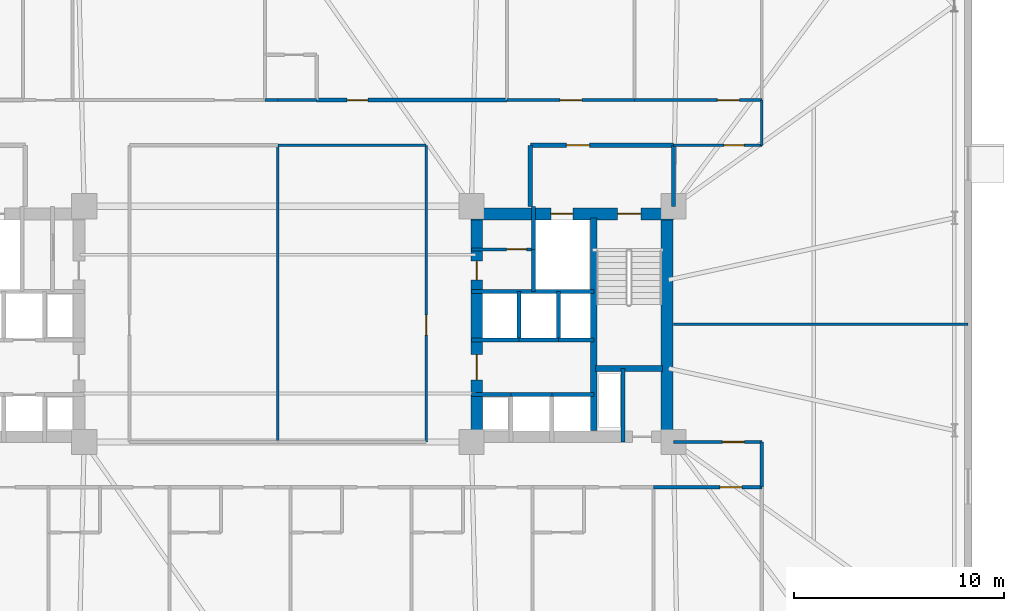
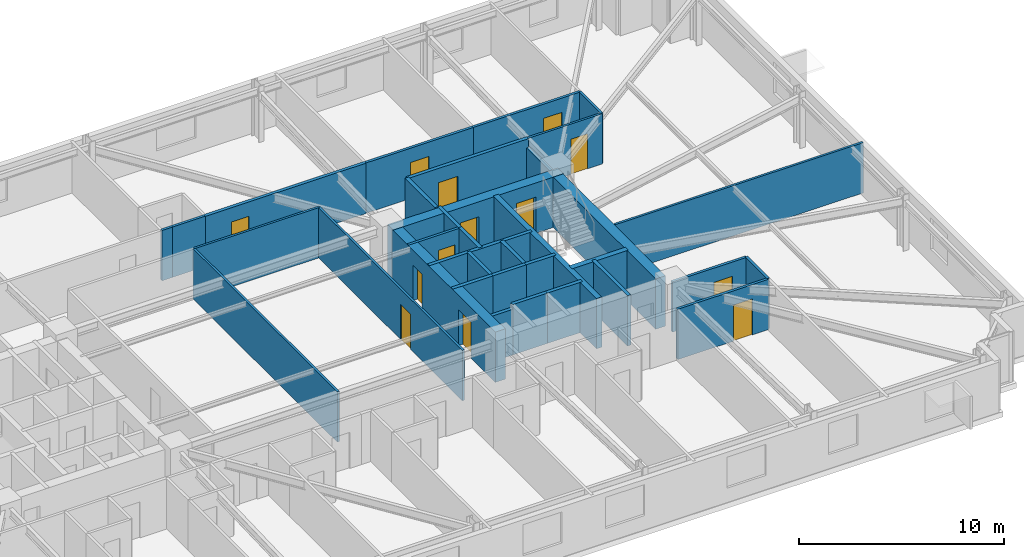
# One storey, part 17 of 20: 35 walls, 13 doors, 13 openings.
"""IFC4 building model written with IfcOpenShell, lengths in metres."""

from ifc_helpers import new_model, si_unit, direction, frame, frame_2d, origin, place, context, subcontext, project, spatial, rectangle, extrude, material, layer, layer_set, type_object, element, fill, save


model = new_model("IFC4")

# Units and contexts
model_context = context("Model", 3, precision=1e-05, world=origin(), true_north=direction((0.0, 1.0)))
body_context = subcontext(model_context, "Body", "Model", "MODEL_VIEW")
ifc_project = project(units=[si_unit("LENGTHUNIT", "METRE"), si_unit("AREAUNIT", "SQUARE_METRE"), si_unit("VOLUMEUNIT", "CUBIC_METRE"), si_unit("PLANEANGLEUNIT", "RADIAN"), si_unit("MASSUNIT", "GRAM", prefix="KILO")], contexts=[model_context])

# Site, building, storey
site_placement = place(None, origin())
site = spatial("IfcSite", under=ifc_project, at=site_placement, CompositionType="ELEMENT")
building_placement = place(site_placement, origin())
building = spatial("IfcBuilding", under=site, at=building_placement, Name="Qobustan Lattice House", CompositionType="ELEMENT")
storey_placement = place(building_placement, frame((0.0, 0.0, 70.550048828125)))
storey = spatial("IfcBuildingStorey", under=building, at=storey_placement, Name="L19", CompositionType="ELEMENT", Elevation=70.550048828125)

# Wall, openings, doors
ifc_material_1 = material(Name="Concrete C60/75", Category="concrete")
ifc_layer_1 = layer(ifc_material_1, 0.56005859375)
ifc_layer_set_1 = layer_set([ifc_layer_1], Name="Concrete C60/75")
wall_type_1 = type_object("IfcWallType", Name="WAL-CORE-600", PredefinedType="SHEAR", material=ifc_layer_set_1)
wall_1_placement = place(storey_placement, frame((9.199951171875, 5.239990234375, 0.0), z_axis=(0.0, 0.0, 1.0), x_axis=(1.0, 0.0, 0.0)))
wall_1 = element("IfcWall", 1, at=wall_1_placement, inside=storey, type_object=wall_type_1, Name="L19 split-core shear wall CE-N", PredefinedType="SHEAR", context=body_context, shape_type="SweptSolid", body=[
    extrude(rectangle(XDim=9.60009765625, YDim=0.56005859375, at=frame_2d((4.800048828125, 0.0))), origin(), (0.0, 0.0, 1.0), 3.0),
])
opening_1_placement = place(wall_1_placement, frame((6.949951171875, 0.0, 0.0)))
opening_1 = element("IfcOpeningElement", 2, at=opening_1_placement, cuts=wall_1, Name="Opening SD-01", PredefinedType="OPENING", context=body_context, shape_type="SweptSolid", body=[
    extrude(rectangle(XDim=1.10009765625, YDim=2.14990234375, at=frame_2d((0.550048828125, 1.074951171875))), frame((0.0, 0.2900390625, 0.0), z_axis=(0.0, -1.0, 0.0), x_axis=(1.0, 0.0, 0.0)), (0.0, 0.0, 1.0), 0.580078125),
])
opening_2_placement = place(wall_1_placement, frame((3.77490234375, 0.0, 0.0)))
opening_2 = element("IfcOpeningElement", 3, at=opening_2_placement, cuts=wall_1, Name="Opening LD-01", PredefinedType="OPENING", context=body_context, shape_type="SweptSolid", body=[
    extrude(rectangle(XDim=1.050048828125, YDim=2.10009765625, at=frame_2d((0.52490234375, 1.050048828125))), frame((0.0, 0.2900390625, 0.0), z_axis=(0.0, -1.0, 0.0), x_axis=(1.0, 0.0, 0.0)), (0.0, 0.0, 1.0), 0.580078125),
])
ifc_material_2 = material(Name="Persian walnut timber and steel frame door", Category="steel")
door_type_1 = type_object("IfcDoorType", Name="DOR-LIFT-LD-1050x2100", OperationType="NOTDEFINED", PredefinedType="DOOR", material=ifc_material_2)
door_1_placement = place(opening_2_placement, origin())
door_1 = element("IfcDoor", 4, at=door_1_placement, inside=storey, type_object=door_type_1, Name="L19 firefighting lift FF-E landing door", OperationType="DOUBLE_DOOR_SLIDING", OverallHeight=2.10009765625, OverallWidth=1.050048828125, PredefinedType="DOOR", context=body_context, shape_type="SweptSolid", body=[
    extrude(rectangle(XDim=1.050048828125, YDim=2.10009765625, at=frame_2d((0.52490234375, 1.050048828125))), frame((0.0, 0.02490234375, 0.0), z_axis=(0.0, -1.0, 0.0), x_axis=(1.0, 0.0, 0.0)), (0.0, 0.0, 1.0), 0.050048828125),
])
fill(opening_2, door_1)
ifc_material_3 = material(Name="Persian walnut timber and steel frame door", Category="steel")
door_type_2 = type_object("IfcDoorType", Name="DOR-STAIR-FD-1100x2150", OperationType="NOTDEFINED", PredefinedType="DOOR", material=ifc_material_3)
door_2_placement = place(opening_1_placement, origin())
door_2 = element("IfcDoor", 5, at=door_2_placement, inside=storey, type_object=door_type_2, Name="L19 exit stair ST-E1 fire door", OperationType="SINGLE_SWING_RIGHT", OverallHeight=2.14990234375, OverallWidth=1.10009765625, PredefinedType="DOOR", context=body_context, shape_type="SweptSolid", body=[
    extrude(rectangle(XDim=1.10009765625, YDim=2.14990234375, at=frame_2d((0.550048828125, 1.074951171875))), frame((0.0, 0.02490234375, 0.0), z_axis=(0.0, -1.0, 0.0), x_axis=(1.0, 0.0, 0.0)), (0.0, 0.0, 1.0), 0.050048828125),
])
fill(opening_1, door_2)

wall_2_placement = place(storey_placement, frame((9.449951171875, -5.050048828125, 0.0), z_axis=(0.0, 0.0, 1.0), x_axis=(0.0, 1.0, 0.0)))
wall_2 = element("IfcWall", 6, at=wall_2_placement, inside=storey, type_object=wall_type_1, Name="L19 split-core shear wall CE-W", PredefinedType="SHEAR", context=body_context, shape_type="SweptSolid", body=[
    extrude(rectangle(XDim=10.10009765625, YDim=0.56005859375, at=frame_2d((5.050048828125, 0.0))), origin(), (0.0, 0.0, 1.0), 3.0),
])
opening_3_placement = place(wall_2_placement, frame((7.14990234375, 0.0, 0.0)))
opening_3 = element("IfcOpeningElement", 7, at=opening_3_placement, cuts=wall_2, Name="Opening RD-01", PredefinedType="OPENING", context=body_context, shape_type="SweptSolid", body=[
    extrude(rectangle(XDim=0.89990234375, YDim=2.10009765625, at=frame_2d((0.449951171875, 1.050048828125))), frame((0.0, 0.2900390625, 0.0), z_axis=(0.0, -1.0, 0.0), x_axis=(1.0, 0.0, 0.0)), (0.0, 0.0, 1.0), 0.580078125),
])
opening_4_placement = place(wall_2_placement, frame((2.39990234375, 0.0, 0.0)))
opening_4 = element("IfcOpeningElement", 8, at=opening_4_placement, cuts=wall_2, Name="Opening FD-01", PredefinedType="OPENING", context=body_context, shape_type="SweptSolid", body=[
    extrude(rectangle(XDim=1.199951171875, YDim=2.14990234375, at=frame_2d((0.60009765625, 1.074951171875))), frame((0.0, 0.2900390625, 0.0), z_axis=(0.0, -1.0, 0.0), x_axis=(1.0, 0.0, 0.0)), (0.0, 0.0, 1.0), 0.580078125),
])
ifc_material_4 = material(Name="Persian walnut timber and steel frame door", Category="steel")
door_type_3 = type_object("IfcDoorType", Name="DOR-LOBBY-FD-1200x2150", OperationType="NOTDEFINED", PredefinedType="DOOR", material=ifc_material_4)
door_3_placement = place(opening_4_placement, origin())
door_3 = element("IfcDoor", 9, at=door_3_placement, inside=storey, type_object=door_type_3, Name="L19 East passenger lift lobby fire door", OperationType="SINGLE_SWING_RIGHT", OverallHeight=2.14990234375, OverallWidth=1.199951171875, PredefinedType="DOOR", context=body_context, shape_type="SweptSolid", body=[
    extrude(rectangle(XDim=1.199951171875, YDim=2.14990234375, at=frame_2d((0.60009765625, 1.074951171875))), frame((0.0, 0.02490234375, 0.0), z_axis=(0.0, -1.0, 0.0), x_axis=(1.0, 0.0, 0.0)), (0.0, 0.0, 1.0), 0.050048828125),
])
fill(opening_4, door_3)
ifc_material_5 = material(Name="Persian walnut timber and steel frame door", Category="steel")
door_type_4 = type_object("IfcDoorType", Name="DOR-RISER-FD-900x2100", OperationType="NOTDEFINED", PredefinedType="DOOR", material=ifc_material_5)
door_4_placement = place(opening_3_placement, origin())
door_4 = element("IfcDoor", 10, at=door_4_placement, inside=storey, type_object=door_type_4, Name="L19 Housekeeping utility foyer fire door", OperationType="SINGLE_SWING_LEFT", OverallHeight=2.10009765625, OverallWidth=0.89990234375, PredefinedType="DOOR", context=body_context, shape_type="SweptSolid", body=[
    extrude(rectangle(XDim=0.89990234375, YDim=2.10009765625, at=frame_2d((0.449951171875, 1.050048828125))), frame((0.0, 0.02490234375, 0.0), z_axis=(0.0, -1.0, 0.0), x_axis=(1.0, 0.0, 0.0)), (0.0, 0.0, 1.0), 0.050048828125),
])
fill(opening_3, door_4)

# Walls
wall_3_placement = place(storey_placement, frame((18.489990234375, -5.050048828125, 0.0), z_axis=(0.0, 0.0, 1.0), x_axis=(0.0, 1.0, 0.0)))
element("IfcWall", 11, at=wall_3_placement, inside=storey, type_object=wall_type_1, Name="L19 split-core shear wall CE-E", PredefinedType="SHEAR", context=body_context, shape_type="SweptSolid", body=[
    extrude(rectangle(XDim=10.10009765625, YDim=0.56005859375, at=frame_2d((5.050048828125, 0.0))), origin(), (0.0, 0.0, 1.0), 3.0),
])
ifc_material_6 = material(Name="Concrete C50/60", Category="concrete")
ifc_layer_2 = layer(ifc_material_6, 0.280029296875)
ifc_layer_set_2 = layer_set([ifc_layer_2], Name="Concrete C50/60")
wall_type_2 = type_object("IfcWallType", Name="WAL-CORE-SPINE-280", PredefinedType="SHEAR", material=ifc_layer_set_2)
wall_4_placement = place(storey_placement, frame((15.02001953125, -5.050048828125, 0.0), z_axis=(0.0, 0.0, 1.0), x_axis=(0.0, 1.0, 0.0)))
element("IfcWall", 12, at=wall_4_placement, inside=storey, type_object=wall_type_2, Name="L19 split-core shear wall CE-M", PredefinedType="SHEAR", context=body_context, shape_type="SweptSolid", body=[
    extrude(rectangle(XDim=10.10009765625, YDim=0.300048828125, at=frame_2d((5.050048828125, 0.0))), origin(), (0.0, 0.0, 1.0), 3.0),
])
wall_5_placement = place(storey_placement, frame((15.10009765625, -2.110107421875, 0.0), z_axis=(0.0, 0.0, 1.0), x_axis=(1.0, 0.0, 0.0)))
element("IfcWall", 13, at=wall_5_placement, inside=storey, type_object=wall_type_2, Name="L19 split-core shear wall CE-ST", PredefinedType="SHEAR", context=body_context, shape_type="SweptSolid", body=[
    extrude(rectangle(XDim=3.179931640625, YDim=0.300048828125, at=frame_2d((1.58984375, 0.0))), origin(), (0.0, 0.0, 1.0), 3.0),
])

# Wall, opening, door
ifc_material_7 = material(Name="Gypsum fireboard acoustic partition", Category="gypsum")
ifc_layer_3 = layer(ifc_material_7, 0.179931640625)
ifc_layer_set_3 = layer_set([ifc_layer_3], Name="Gypsum fireboard acoustic partition")
wall_type_3 = type_object("IfcWallType", Name="WAL-FIRE-180", PredefinedType="PARTITIONING", material=ifc_layer_set_3)
wall_6_placement = place(storey_placement, frame((1.85009765625, 10.64990234375, 0.0), z_axis=(0.0, 0.0, 1.0), x_axis=(1.0, 0.0, 0.0)))
wall_6 = element("IfcWall", 14, at=wall_6_placement, inside=storey, type_object=wall_type_3, Name="L19 interior partition 49", PredefinedType="PARTITIONING", context=body_context, shape_type="SweptSolid", body=[
    extrude(rectangle(XDim=9.0498046875, YDim=0.179931640625, at=frame_2d((4.52490234375, 0.0))), origin(), (0.0, 0.0, 1.0), 3.0),
])
opening_5_placement = place(wall_6_placement, frame((1.44140625, 0.0, 0.0)))
opening_5 = element("IfcOpeningElement", 15, at=opening_5_placement, cuts=wall_6, Name="Opening FD-02", PredefinedType="OPENING", context=body_context, shape_type="SweptSolid", body=[
    extrude(rectangle(XDim=1.0, YDim=2.14990234375, at=frame_2d((0.5, 1.074951171875))), frame((0.0, 0.099853515625, 0.0), z_axis=(0.0, -1.0, 0.0), x_axis=(1.0, 0.0, 0.0)), (0.0, 0.0, 1.0), 0.199951171875),
])
ifc_material_8 = material(Name="Persian walnut timber and steel frame door", Category="steel")
door_type_5 = type_object("IfcDoorType", Name="DOR-UNIT-FD-1000x2150", OperationType="NOTDEFINED", PredefinedType="DOOR", material=ifc_material_8)
door_5_placement = place(opening_5_placement, origin())
door_5 = element("IfcDoor", 16, at=door_5_placement, inside=storey, type_object=door_type_5, Name="L19 North-east floor corridor to Kitchenette and studio apartment L19-N3 door", OperationType="SINGLE_SWING_LEFT", OverallHeight=2.14990234375, OverallWidth=1.0, PredefinedType="DOOR", context=body_context, shape_type="SweptSolid", body=[
    extrude(rectangle(XDim=1.0, YDim=2.14990234375, at=frame_2d((0.5, 1.074951171875))), frame((0.0, 0.02490234375, 0.0), z_axis=(0.0, -1.0, 0.0), x_axis=(1.0, 0.0, 0.0)), (0.0, 0.0, 1.0), 0.050048828125),
])
fill(opening_5, door_5)

ifc_material_9 = material(Name="Lightweight acoustic stud partition", Category="gypsum")
ifc_layer_4 = layer(ifc_material_9, 0.125)
ifc_layer_set_4 = layer_set([ifc_layer_4], Name="Lightweight acoustic stud partition")
wall_type_4 = type_object("IfcWallType", Name="WAL-PART-125", PredefinedType="PARTITIONING", material=ifc_layer_set_4)
wall_7_placement = place(storey_placement, frame((23.0, 8.5, 0.0), z_axis=(0.0, 0.0, 1.0), x_axis=(-1.0, 0.0, 0.0)))
wall_7 = element("IfcWall", 17, at=wall_7_placement, inside=storey, type_object=wall_type_4, Name="L19 interior partition 47", PredefinedType="PARTITIONING", context=body_context, shape_type="SweptSolid", body=[
    extrude(rectangle(XDim=4.199951171875, YDim=0.125, at=frame_2d((2.10009765625, 0.0))), origin(), (0.0, 0.0, 1.0), 3.0),
])
opening_6_placement = place(wall_7_placement, frame((0.84130859375, 0.0, 0.0)))
opening_6 = element("IfcOpeningElement", 18, at=opening_6_placement, cuts=wall_7, Name="Opening ID-01", PredefinedType="OPENING", context=body_context, shape_type="SweptSolid", body=[
    extrude(rectangle(XDim=0.949951171875, YDim=2.10009765625, at=frame_2d((0.47509765625, 1.050048828125))), frame((0.0, 0.072509765625, 0.0), z_axis=(0.0, -1.0, 0.0), x_axis=(1.0, 0.0, 0.0)), (0.0, 0.0, 1.0), 0.14501953125),
])
ifc_material_10 = material(Name="Persian walnut timber and steel frame door", Category="steel")
door_type_6 = type_object("IfcDoorType", Name="DOR-ROOM-950x2100", OperationType="NOTDEFINED", PredefinedType="DOOR", material=ifc_material_10)
door_6_placement = place(opening_6_placement, origin())
door_6 = element("IfcDoor", 19, at=door_6_placement, inside=storey, type_object=door_type_6, Name="L19 North-east floor corridor to Music and podcast studio door", OperationType="SINGLE_SWING_RIGHT", OverallHeight=2.10009765625, OverallWidth=0.949951171875, PredefinedType="DOOR", context=body_context, shape_type="SweptSolid", body=[
    extrude(rectangle(XDim=0.949951171875, YDim=2.10009765625, at=frame_2d((0.47509765625, 1.050048828125))), frame((0.0, 0.02490234375, 0.0), z_axis=(0.0, -1.0, 0.0), x_axis=(1.0, 0.0, 0.0)), (0.0, 0.0, 1.0), 0.050048828125),
])
fill(opening_6, door_6)

# Walls
wall_8_placement = place(storey_placement, frame((23.0, 10.64990234375, 0.0), z_axis=(0.0, 0.0, 1.0), x_axis=(0.0, -1.0, 0.0)))
element("IfcWall", 20, at=wall_8_placement, inside=storey, type_object=wall_type_4, Name="L19 interior partition 48", PredefinedType="PARTITIONING", context=body_context, shape_type="SweptSolid", body=[
    extrude(rectangle(XDim=2.14990234375, YDim=0.125, at=frame_2d((1.074951171875, 0.0))), origin(), (0.0, 0.0, 1.0), 3.0),
])
wall_9_placement = place(storey_placement, frame((7.050048828125, 8.5, 0.0), z_axis=(0.0, 0.0, 1.0), x_axis=(-1.0, 0.0, 0.0)))
element("IfcWall", 21, at=wall_9_placement, inside=storey, type_object=wall_type_4, Name="L19 interior partition 53", PredefinedType="PARTITIONING", context=body_context, shape_type="SweptSolid", body=[
    extrude(rectangle(XDim=7.050048828125, YDim=0.125, at=frame_2d((3.52490234375, 0.0))), origin(), (0.0, 0.0, 1.0), 3.0),
])

# Wall, opening, door
wall_10_placement = place(storey_placement, frame((7.050048828125, -5.60009765625, 0.0), z_axis=(0.0, 0.0, 1.0), x_axis=(0.0, 1.0, 0.0)))
wall_10 = element("IfcWall", 22, at=wall_10_placement, inside=storey, type_object=wall_type_4, Name="L19 interior partition 77", PredefinedType="PARTITIONING", context=body_context, shape_type="SweptSolid", body=[
    extrude(rectangle(XDim=14.10009765625, YDim=0.125, at=frame_2d((7.050048828125, 0.0))), origin(), (0.0, 0.0, 1.0), 3.0),
])
opening_7_placement = place(wall_10_placement, frame((5.076171875, 0.0, 0.0)))
opening_7 = element("IfcOpeningElement", 23, at=opening_7_placement, cuts=wall_10, Name="Opening ID-01", PredefinedType="OPENING", context=body_context, shape_type="SweptSolid", body=[
    extrude(rectangle(XDim=0.949951171875, YDim=2.10009765625, at=frame_2d((0.47509765625, 1.050048828125))), frame((0.0, 0.072509765625, 0.0), z_axis=(0.0, -1.0, 0.0), x_axis=(1.0, 0.0, 0.0)), (0.0, 0.0, 1.0), 0.14501953125),
])
door_7_placement = place(opening_7_placement, origin())
door_7 = element("IfcDoor", 24, at=door_7_placement, inside=storey, type_object=door_type_6, Name="L19 East floor link corridor to Focus pod suite door", OperationType="SINGLE_SWING_RIGHT", OverallHeight=2.10009765625, OverallWidth=0.949951171875, PredefinedType="DOOR", context=body_context, shape_type="SweptSolid", body=[
    extrude(rectangle(XDim=0.949951171875, YDim=2.10009765625, at=frame_2d((0.47509765625, 1.050048828125))), frame((0.0, 0.02490234375, 0.0), z_axis=(0.0, -1.0, 0.0), x_axis=(1.0, 0.0, 0.0)), (0.0, 0.0, 1.0), 0.050048828125),
])
fill(opening_7, door_7)

# Walls
wall_11_placement = place(storey_placement, frame((18.800048828125, 0.0, 0.0), z_axis=(0.0, 0.0, 1.0), x_axis=(1.0, 0.0, 0.0)))
element("IfcWall", 25, at=wall_11_placement, inside=storey, type_object=wall_type_4, Name="L19 interior partition 88", PredefinedType="PARTITIONING", context=body_context, shape_type="SweptSolid", body=[
    extrude(rectangle(XDim=14.0, YDim=0.125, at=frame_2d((7.0, 0.0))), origin(), (0.0, 0.0, 1.0), 3.0),
])
wall_12_placement = place(storey_placement, frame((0.0, 8.5, 0.0), z_axis=(0.0, 0.0, 1.0), x_axis=(0.0, -1.0, 0.0)))
element("IfcWall", 26, at=wall_12_placement, inside=storey, type_object=wall_type_4, Name="L19 interior partition 125", PredefinedType="PARTITIONING", context=body_context, shape_type="SweptSolid", body=[
    extrude(rectangle(XDim=14.10009765625, YDim=0.125, at=frame_2d((7.050048828125, 0.0))), origin(), (0.0, 0.0, 1.0), 3.0),
])

# Wall, opening, door
ifc_material_11 = material(Name="Acoustic twin-stud gypsum partition", Category="gypsum")
ifc_layer_5 = layer(ifc_material_11, 0.14990234375)
ifc_layer_set_5 = layer_set([ifc_layer_5], Name="Acoustic twin-stud gypsum partition")
wall_type_5 = type_object("IfcWallType", Name="WAL-PART-150", PredefinedType="PARTITIONING", material=ifc_layer_set_5)
wall_13_placement = place(storey_placement, frame((12.14990234375, 3.550048828125, 0.0), z_axis=(0.0, 0.0, 1.0), x_axis=(-1.0, 0.0, 0.0)))
wall_13 = element("IfcWall", 27, at=wall_13_placement, inside=storey, type_object=wall_type_5, Name="L19 interior partition 26", PredefinedType="PARTITIONING", context=body_context, shape_type="SweptSolid", body=[
    extrude(rectangle(XDim=2.949951171875, YDim=0.14990234375, at=frame_2d((1.47509765625, 0.0))), origin(), (0.0, 0.0, 1.0), 3.0),
])
opening_8_placement = place(wall_13_placement, frame((0.324951171875, 0.0, 0.0)))
opening_8 = element("IfcOpeningElement", 28, at=opening_8_placement, cuts=wall_13, Name="Opening ID-01", PredefinedType="OPENING", context=body_context, shape_type="SweptSolid", body=[
    extrude(rectangle(XDim=0.949951171875, YDim=2.10009765625, at=frame_2d((0.47509765625, 1.050048828125))), frame((0.0, 0.0849609375, 0.0), z_axis=(0.0, -1.0, 0.0), x_axis=(1.0, 0.0, 0.0)), (0.0, 0.0, 1.0), 0.169921875),
])
door_8_placement = place(opening_8_placement, origin())
door_8 = element("IfcDoor", 29, at=door_8_placement, inside=storey, type_object=door_type_6, Name="L19 Housekeeping utility foyer to Cleaner cupboard door", OperationType="SINGLE_SWING_RIGHT", OverallHeight=2.10009765625, OverallWidth=0.949951171875, PredefinedType="DOOR", context=body_context, shape_type="SweptSolid", body=[
    extrude(rectangle(XDim=0.949951171875, YDim=2.10009765625, at=frame_2d((0.47509765625, 1.050048828125))), frame((0.0, 0.02490234375, 0.0), z_axis=(0.0, -1.0, 0.0), x_axis=(1.0, 0.0, 0.0)), (0.0, 0.0, 1.0), 0.050048828125),
])
fill(opening_8, door_8)

wall_14_placement = place(storey_placement, frame((10.89990234375, 10.64990234375, 0.0), z_axis=(0.0, 0.0, 1.0), x_axis=(1.0, 0.0, 0.0)))
wall_14 = element("IfcWall", 30, at=wall_14_placement, inside=storey, type_object=wall_type_5, Name="L19 interior partition 51", PredefinedType="PARTITIONING", context=body_context, shape_type="SweptSolid", body=[
    extrude(rectangle(XDim=6.050048828125, YDim=0.14990234375, at=frame_2d((3.02490234375, 0.0))), origin(), (0.0, 0.0, 1.0), 3.0),
])
opening_9_placement = place(wall_14_placement, frame((2.5, 0.0, 0.0)))
opening_9 = element("IfcOpeningElement", 31, at=opening_9_placement, cuts=wall_14, Name="Opening ID-02", PredefinedType="OPENING", context=body_context, shape_type="SweptSolid", body=[
    extrude(rectangle(XDim=1.050048828125, YDim=2.14990234375, at=frame_2d((0.52490234375, 1.074951171875))), frame((0.0, 0.0849609375, 0.0), z_axis=(0.0, -1.0, 0.0), x_axis=(1.0, 0.0, 0.0)), (0.0, 0.0, 1.0), 0.169921875),
])
ifc_material_12 = material(Name="Persian walnut timber and steel frame door", Category="steel")
door_type_7 = type_object("IfcDoorType", Name="DOR-STUDY-1050x2150", OperationType="NOTDEFINED", PredefinedType="DOOR", material=ifc_material_12)
door_9_placement = place(opening_9_placement, origin())
door_9 = element("IfcDoor", 32, at=door_9_placement, inside=storey, type_object=door_type_7, Name="L19 North-east floor corridor to Focus study room N4A door", OperationType="SINGLE_SWING_RIGHT", OverallHeight=2.14990234375, OverallWidth=1.050048828125, PredefinedType="DOOR", context=body_context, shape_type="SweptSolid", body=[
    extrude(rectangle(XDim=1.050048828125, YDim=2.14990234375, at=frame_2d((0.52490234375, 1.074951171875))), frame((0.0, 0.02490234375, 0.0), z_axis=(0.0, -1.0, 0.0), x_axis=(1.0, 0.0, 0.0)), (0.0, 0.0, 1.0), 0.050048828125),
])
fill(opening_9, door_9)

wall_15_placement = place(storey_placement, frame((16.949951171875, 10.64990234375, 0.0), z_axis=(0.0, 0.0, 1.0), x_axis=(1.0, 0.0, 0.0)))
wall_15 = element("IfcWall", 33, at=wall_15_placement, inside=storey, type_object=wall_type_5, Name="L19 interior partition 52", PredefinedType="PARTITIONING", context=body_context, shape_type="SweptSolid", body=[
    extrude(rectangle(XDim=6.050048828125, YDim=0.14990234375, at=frame_2d((3.02490234375, 0.0))), origin(), (0.0, 0.0, 1.0), 3.0),
])
opening_10_placement = place(wall_15_placement, frame((3.93994140625, 0.0, 0.0)))
opening_10 = element("IfcOpeningElement", 34, at=opening_10_placement, cuts=wall_15, Name="Opening ID-02", PredefinedType="OPENING", context=body_context, shape_type="SweptSolid", body=[
    extrude(rectangle(XDim=1.050048828125, YDim=2.14990234375, at=frame_2d((0.52490234375, 1.074951171875))), frame((0.0, 0.0849609375, 0.0), z_axis=(0.0, -1.0, 0.0), x_axis=(1.0, 0.0, 0.0)), (0.0, 0.0, 1.0), 0.169921875),
])
door_10_placement = place(opening_10_placement, origin())
door_10 = element("IfcDoor", 35, at=door_10_placement, inside=storey, type_object=door_type_7, Name="L19 North-east floor corridor to Focus study room N4B door", OperationType="SINGLE_SWING_LEFT", OverallHeight=2.14990234375, OverallWidth=1.050048828125, PredefinedType="DOOR", context=body_context, shape_type="SweptSolid", body=[
    extrude(rectangle(XDim=1.050048828125, YDim=2.14990234375, at=frame_2d((0.52490234375, 1.074951171875))), frame((0.0, 0.02490234375, 0.0), z_axis=(0.0, -1.0, 0.0), x_axis=(1.0, 0.0, 0.0)), (0.0, 0.0, 1.0), 0.050048828125),
])
fill(opening_10, door_10)

wall_16_placement = place(storey_placement, frame((18.800048828125, -5.60009765625, 0.0), z_axis=(0.0, 0.0, 1.0), x_axis=(1.0, 0.0, 0.0)))
wall_16 = element("IfcWall", 36, at=wall_16_placement, inside=storey, type_object=wall_type_5, Name="L19 interior partition 65", PredefinedType="PARTITIONING", context=body_context, shape_type="SweptSolid", body=[
    extrude(rectangle(XDim=4.199951171875, YDim=0.14990234375, at=frame_2d((2.10009765625, 0.0))), origin(), (0.0, 0.0, 1.0), 3.0),
])
opening_11_placement = place(wall_16_placement, frame((2.3212890625, 0.0, 0.0)))
opening_11 = element("IfcOpeningElement", 37, at=opening_11_placement, cuts=wall_16, Name="Opening ID-02", PredefinedType="OPENING", context=body_context, shape_type="SweptSolid", body=[
    extrude(rectangle(XDim=1.050048828125, YDim=2.14990234375, at=frame_2d((0.52490234375, 1.074951171875))), frame((0.0, 0.0849609375, 0.0), z_axis=(0.0, -1.0, 0.0), x_axis=(1.0, 0.0, 0.0)), (0.0, 0.0, 1.0), 0.169921875),
])
door_11_placement = place(opening_11_placement, origin())
door_11 = element("IfcDoor", 38, at=door_11_placement, inside=storey, type_object=door_type_7, Name="L19 South-east floor corridor to Academic seminar room door", OperationType="SINGLE_SWING_RIGHT", OverallHeight=2.14990234375, OverallWidth=1.050048828125, PredefinedType="DOOR", context=body_context, shape_type="SweptSolid", body=[
    extrude(rectangle(XDim=1.050048828125, YDim=2.14990234375, at=frame_2d((0.52490234375, 1.074951171875))), frame((0.0, 0.02490234375, 0.0), z_axis=(0.0, -1.0, 0.0), x_axis=(1.0, 0.0, 0.0)), (0.0, 0.0, 1.0), 0.050048828125),
])
fill(opening_11, door_11)

# Wall
wall_17_placement = place(storey_placement, frame((23.0, -5.60009765625, 0.0), z_axis=(0.0, 0.0, 1.0), x_axis=(0.0, -1.0, 0.0)))
element("IfcWall", 39, at=wall_17_placement, inside=storey, type_object=wall_type_5, Name="L19 interior partition 66", PredefinedType="PARTITIONING", context=body_context, shape_type="SweptSolid", body=[
    extrude(rectangle(XDim=2.14990234375, YDim=0.14990234375, at=frame_2d((1.074951171875, 0.0))), origin(), (0.0, 0.0, 1.0), 3.0),
])

# Wall, opening, door
wall_18_placement = place(storey_placement, frame((23.0, -7.75, 0.0), z_axis=(0.0, 0.0, 1.0), x_axis=(-1.0, 0.0, 0.0)))
wall_18 = element("IfcWall", 40, at=wall_18_placement, inside=storey, type_object=wall_type_5, Name="L19 interior partition 74", PredefinedType="PARTITIONING", context=body_context, shape_type="SweptSolid", body=[
    extrude(rectangle(XDim=5.14990234375, YDim=0.14990234375, at=frame_2d((2.574951171875, 0.0))), origin(), (0.0, 0.0, 1.0), 3.0),
])
opening_12_placement = place(wall_18_placement, frame((0.947509765625, 0.0, 0.0)))
opening_12 = element("IfcOpeningElement", 41, at=opening_12_placement, cuts=wall_18, Name="Opening ID-02", PredefinedType="OPENING", context=body_context, shape_type="SweptSolid", body=[
    extrude(rectangle(XDim=1.050048828125, YDim=2.14990234375, at=frame_2d((0.52490234375, 1.074951171875))), frame((0.0, 0.0849609375, 0.0), z_axis=(0.0, -1.0, 0.0), x_axis=(1.0, 0.0, 0.0)), (0.0, 0.0, 1.0), 0.169921875),
])
door_12_placement = place(opening_12_placement, origin())
door_12 = element("IfcDoor", 42, at=door_12_placement, inside=storey, type_object=door_type_7, Name="L19 South-east floor corridor to Group study room door", OperationType="SINGLE_SWING_RIGHT", OverallHeight=2.14990234375, OverallWidth=1.050048828125, PredefinedType="DOOR", context=body_context, shape_type="SweptSolid", body=[
    extrude(rectangle(XDim=1.050048828125, YDim=2.14990234375, at=frame_2d((0.52490234375, 1.074951171875))), frame((0.0, 0.02490234375, 0.0), z_axis=(0.0, -1.0, 0.0), x_axis=(1.0, 0.0, 0.0)), (0.0, 0.0, 1.0), 0.050048828125),
])
fill(opening_12, door_12)

ifc_material_13 = material(Name="Two-hour gypsum fireboard acoustic partition", Category="gypsum")
ifc_layer_6 = layer(ifc_material_13, 0.199951171875)
ifc_layer_set_6 = layer_set([ifc_layer_6], Name="Two-hour gypsum fireboard acoustic partition")
wall_type_6 = type_object("IfcWallType", Name="WAL-PROT-200", PredefinedType="PARTITIONING", material=ifc_layer_set_6)
wall_19_placement = place(storey_placement, frame((18.800048828125, 8.5, 0.0), z_axis=(0.0, 0.0, 1.0), x_axis=(-1.0, 0.0, 0.0)))
wall_19 = element("IfcWall", 43, at=wall_19_placement, inside=storey, type_object=wall_type_6, Name="L19 interior partition 23", PredefinedType="PARTITIONING", context=body_context, shape_type="SweptSolid", body=[
    extrude(rectangle(XDim=6.800048828125, YDim=0.199951171875, at=frame_2d((3.39990234375, 0.0))), origin(), (0.0, 0.0, 1.0), 3.0),
])
opening_13_placement = place(wall_19_placement, frame((3.985107421875, 0.0, 0.0)))
opening_13 = element("IfcOpeningElement", 44, at=opening_13_placement, cuts=wall_19, Name="Opening SD-01", PredefinedType="OPENING", context=body_context, shape_type="SweptSolid", body=[
    extrude(rectangle(XDim=1.10009765625, YDim=2.14990234375, at=frame_2d((0.550048828125, 1.074951171875))), frame((0.0, 0.10986328125, 0.0), z_axis=(0.0, -1.0, 0.0), x_axis=(1.0, 0.0, 0.0)), (0.0, 0.0, 1.0), 0.219970703125),
])
door_13_placement = place(opening_13_placement, origin())
door_13 = element("IfcDoor", 45, at=door_13_placement, inside=storey, type_object=door_type_2, Name="L19 East firefighting lift lobby to North-east floor corridor door", OperationType="SINGLE_SWING_LEFT", OverallHeight=2.14990234375, OverallWidth=1.10009765625, PredefinedType="DOOR", context=body_context, shape_type="SweptSolid", body=[
    extrude(rectangle(XDim=1.10009765625, YDim=2.14990234375, at=frame_2d((0.550048828125, 1.074951171875))), frame((0.0, 0.02490234375, 0.0), z_axis=(0.0, -1.0, 0.0), x_axis=(1.0, 0.0, 0.0)), (0.0, 0.0, 1.0), 0.050048828125),
])
fill(opening_13, door_13)

# Walls
wall_20_placement = place(storey_placement, frame((12.0, 8.5, 0.0), z_axis=(0.0, 0.0, 1.0), x_axis=(0.0, -1.0, 0.0)))
element("IfcWall", 46, at=wall_20_placement, inside=storey, type_object=wall_type_6, Name="L19 interior partition 24", PredefinedType="PARTITIONING", context=body_context, shape_type="SweptSolid", body=[
    extrude(rectangle(XDim=2.89990234375, YDim=0.199951171875, at=frame_2d((1.449951171875, 0.0))), origin(), (0.0, 0.0, 1.0), 3.0),
])
wall_21_placement = place(storey_placement, frame((18.800048828125, 5.60009765625, 0.0), z_axis=(0.0, 0.0, 1.0), x_axis=(0.0, 1.0, 0.0)))
element("IfcWall", 47, at=wall_21_placement, inside=storey, type_object=wall_type_6, Name="L19 interior partition 25", PredefinedType="PARTITIONING", context=body_context, shape_type="SweptSolid", body=[
    extrude(rectangle(XDim=2.89990234375, YDim=0.199951171875, at=frame_2d((1.449951171875, 0.0))), origin(), (0.0, 0.0, 1.0), 2.48486328125),
])
ifc_material_14 = material(Name="Concrete C40/50", Category="concrete")
ifc_layer_7 = layer(ifc_material_14, 0.199951171875)
ifc_layer_set_7 = layer_set([ifc_layer_7], Name="Concrete C40/50")
wall_type_7 = type_object("IfcWallType", Name="WAL-SHAFT-200", PredefinedType="PARTITIONING", material=ifc_layer_set_7)
wall_22_placement = place(storey_placement, frame((16.39990234375, -2.110107421875, 0.0), z_axis=(0.0, 0.0, 1.0), x_axis=(0.0, -1.0, 0.0)))
element("IfcWall", 48, at=wall_22_placement, inside=storey, type_object=wall_type_7, Name="L19 interior partition 20", PredefinedType="PARTITIONING", context=body_context, shape_type="SweptSolid", body=[
    extrude(rectangle(XDim=3.489990234375, YDim=0.199951171875, at=frame_2d((1.7451171875, 0.0))), origin(), (0.0, 0.0, 1.0), 3.0),
])
wall_23_placement = place(storey_placement, frame((12.14990234375, 3.550048828125, 0.0), z_axis=(0.0, 0.0, 1.0), x_axis=(0.0, -1.0, 0.0)))
element("IfcWall", 49, at=wall_23_placement, inside=storey, type_object=wall_type_7, Name="L19 interior partition 21", PredefinedType="PARTITIONING", context=body_context, shape_type="SweptSolid", body=[
    extrude(rectangle(XDim=2.0, YDim=0.199951171875, at=frame_2d((1.0, 0.0))), origin(), (0.0, 0.0, 1.0), 3.0),
])
wall_24_placement = place(storey_placement, frame((12.14990234375, 5.60009765625, 0.0), z_axis=(0.0, 0.0, 1.0), x_axis=(0.0, -1.0, 0.0)))
element("IfcWall", 50, at=wall_24_placement, inside=storey, type_object=wall_type_7, Name="L19 interior partition 22", PredefinedType="PARTITIONING", context=body_context, shape_type="SweptSolid", body=[
    extrude(rectangle(XDim=2.050048828125, YDim=0.199951171875, at=frame_2d((1.02490234375, 0.0))), origin(), (0.0, 0.0, 1.0), 3.0),
])
wall_25_placement = place(storey_placement, frame((9.199951171875, -3.35009765625, 0.0), z_axis=(0.0, 0.0, 1.0), x_axis=(1.0, 0.0, 0.0)))
element("IfcWall", 51, at=wall_25_placement, inside=storey, type_object=wall_type_7, Name="L19 interior partition 28", PredefinedType="PARTITIONING", context=body_context, shape_type="SweptSolid", body=[
    extrude(rectangle(XDim=1.880126953125, YDim=0.199951171875, at=frame_2d((0.93994140625, 0.0))), origin(), (0.0, 0.0, 1.0), 2.71484375),
])
wall_26_placement = place(storey_placement, frame((11.080078125, -3.35009765625, 0.0), z_axis=(0.0, 0.0, 1.0), x_axis=(1.0, 0.0, 0.0)))
element("IfcWall", 52, at=wall_26_placement, inside=storey, type_object=wall_type_7, Name="L19 interior partition 29", PredefinedType="PARTITIONING", context=body_context, shape_type="SweptSolid", body=[
    extrude(rectangle(XDim=1.93994140625, YDim=0.199951171875, at=frame_2d((0.969970703125, 0.0))), origin(), (0.0, 0.0, 1.0), 3.0),
])
wall_27_placement = place(storey_placement, frame((13.02001953125, -3.35009765625, 0.0), z_axis=(0.0, 0.0, 1.0), x_axis=(1.0, 0.0, 0.0)))
element("IfcWall", 53, at=wall_27_placement, inside=storey, type_object=wall_type_7, Name="L19 interior partition 30", PredefinedType="PARTITIONING", context=body_context, shape_type="SweptSolid", body=[
    extrude(rectangle(XDim=2.0, YDim=0.199951171875, at=frame_2d((1.0, 0.0))), origin(), (0.0, 0.0, 1.0), 3.0),
])
wall_28_placement = place(storey_placement, frame((11.4599609375, -0.75, 0.0), z_axis=(0.0, 0.0, 1.0), x_axis=(-1.0, 0.0, 0.0)))
element("IfcWall", 54, at=wall_28_placement, inside=storey, type_object=wall_type_7, Name="L19 interior partition 31", PredefinedType="PARTITIONING", context=body_context, shape_type="SweptSolid", body=[
    extrude(rectangle(XDim=2.260009765625, YDim=0.199951171875, at=frame_2d((1.1298828125, 0.0))), origin(), (0.0, 0.0, 1.0), 3.0),
])
wall_29_placement = place(storey_placement, frame((13.340087890625, -0.75, 0.0), z_axis=(0.0, 0.0, 1.0), x_axis=(-1.0, 0.0, 0.0)))
element("IfcWall", 55, at=wall_29_placement, inside=storey, type_object=wall_type_7, Name="L19 interior partition 32", PredefinedType="PARTITIONING", context=body_context, shape_type="SweptSolid", body=[
    extrude(rectangle(XDim=1.880126953125, YDim=0.199951171875, at=frame_2d((0.93994140625, 0.0))), origin(), (0.0, 0.0, 1.0), 3.0),
])
wall_30_placement = place(storey_placement, frame((15.02001953125, -0.75, 0.0), z_axis=(0.0, 0.0, 1.0), x_axis=(-1.0, 0.0, 0.0)))
element("IfcWall", 56, at=wall_30_placement, inside=storey, type_object=wall_type_7, Name="L19 interior partition 33", PredefinedType="PARTITIONING", context=body_context, shape_type="SweptSolid", body=[
    extrude(rectangle(XDim=1.679931640625, YDim=0.199951171875, at=frame_2d((0.83984375, 0.0))), origin(), (0.0, 0.0, 1.0), 3.0),
])
for number, where, z_axis, x_axis, name in (
    (57, (11.4599609375, -0.75, 0.0), (0.0, 0.0, 1.0), (0.0, 1.0, 0.0), "L19 interior partition 37"),
    (58, (13.340087890625, -0.75, 0.0), (0.0, 0.0, 1.0), (0.0, 1.0, 0.0), "L19 interior partition 38"),
):
    element("IfcWall", number, at=place(storey_placement, frame(where, z_axis=z_axis, x_axis=x_axis)), inside=storey, type_object=wall_type_7, Name=name, PredefinedType="PARTITIONING", context=body_context, shape_type="SweptSolid", body=[
        extrude(rectangle(XDim=2.300048828125, YDim=0.199951171875, at=frame_2d((1.14990234375, 0.0))), origin(), (0.0, 0.0, 1.0), 3.0),
    ])
wall_31_placement = place(storey_placement, frame((9.199951171875, 1.550048828125, 0.0), z_axis=(0.0, 0.0, 1.0), x_axis=(1.0, 0.0, 0.0)))
element("IfcWall", 59, at=wall_31_placement, inside=storey, type_object=wall_type_7, Name="L19 interior partition 127", PredefinedType="PARTITIONING", context=body_context, shape_type="SweptSolid", body=[
    extrude(rectangle(XDim=5.820068359375, YDim=0.199951171875, at=frame_2d((2.91015625, 0.0))), origin(), (0.0, 0.0, 1.0), 3.0),
])
ifc_material_15 = material(Name="Moisture-resistant acoustic plumbing wall", Category="gypsum")
ifc_layer_8 = layer(ifc_material_15, 0.14990234375)
ifc_layer_set_8 = layer_set([ifc_layer_8], Name="Moisture-resistant acoustic plumbing wall")
wall_type_8 = type_object("IfcWallType", Name="WAL-WET-150", PredefinedType="PLUMBINGWALL", material=ifc_layer_set_8)
wall_32_placement = place(storey_placement, frame((-0.60009765625, 10.64990234375, 0.0), z_axis=(0.0, 0.0, 1.0), x_axis=(1.0, 0.0, 0.0)))
element("IfcWall", 60, at=wall_32_placement, inside=storey, type_object=wall_type_8, Name="L19 interior partition 45", PredefinedType="PLUMBINGWALL", context=body_context, shape_type="SweptSolid", body=[
    extrude(rectangle(XDim=0.60009765625, YDim=0.14990234375, at=frame_2d((0.300048828125, 0.0))), origin(), (0.0, 0.0, 1.0), 3.0),
])
wall_33_placement = place(storey_placement, frame((0.0, 10.64990234375, 0.0), z_axis=(0.0, 0.0, 1.0), x_axis=(1.0, 0.0, 0.0)))
element("IfcWall", 61, at=wall_33_placement, inside=storey, type_object=wall_type_8, Name="L19 interior partition 50", PredefinedType="PLUMBINGWALL", context=body_context, shape_type="SweptSolid", body=[
    extrude(rectangle(XDim=1.85009765625, YDim=0.14990234375, at=frame_2d((0.925048828125, 0.0))), origin(), (0.0, 0.0, 1.0), 3.0),
])

save(model, "model.ifc")
